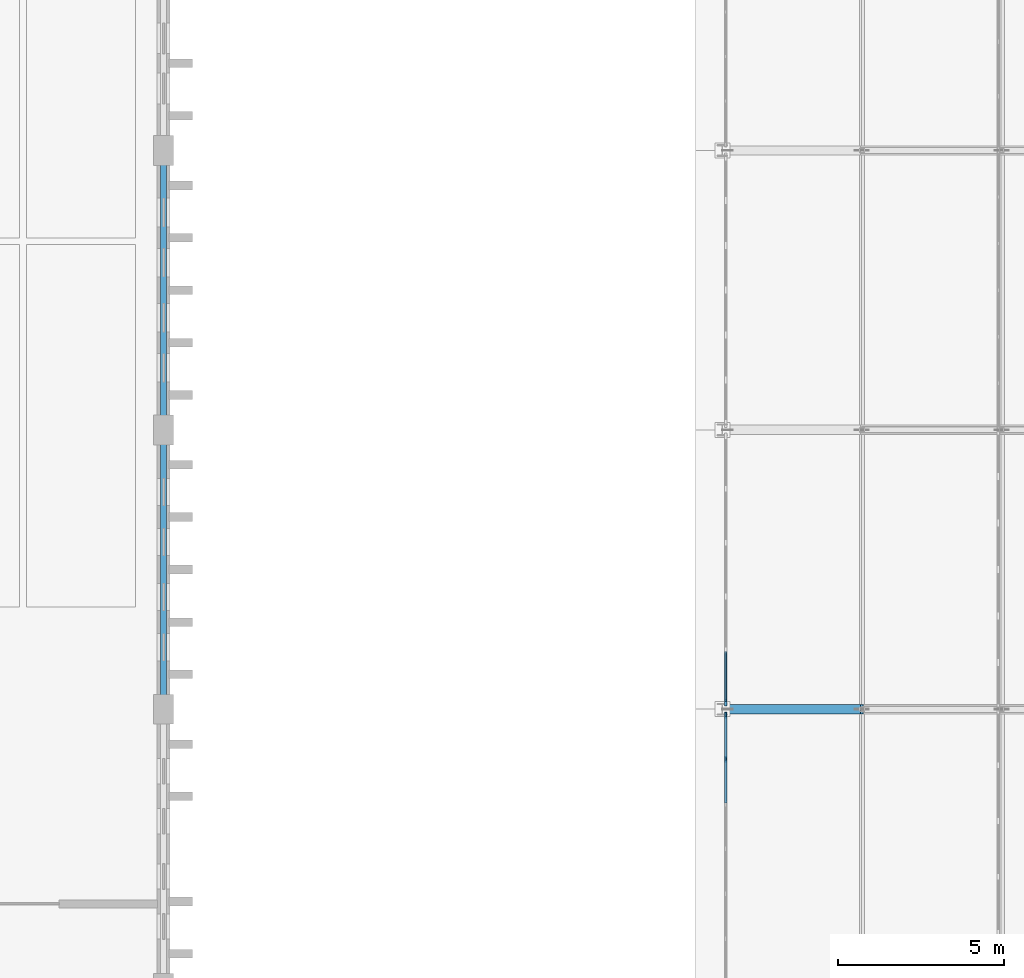
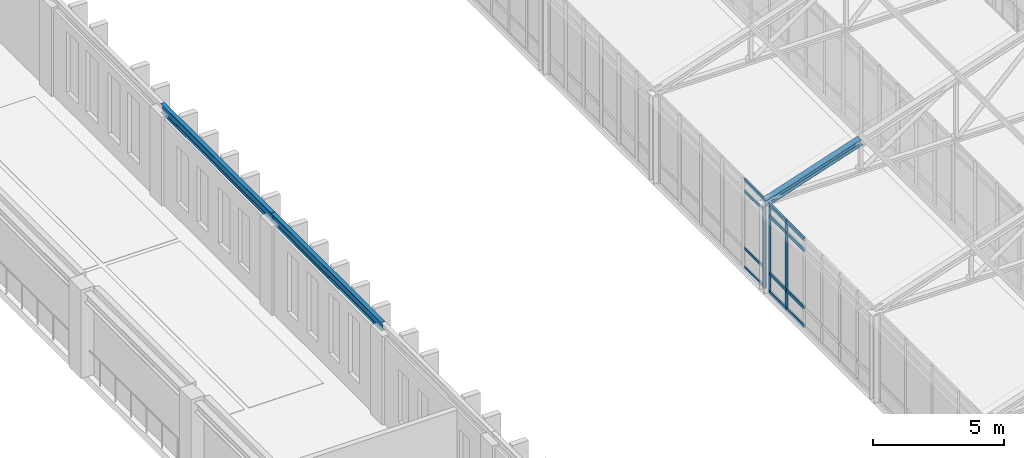
# One storey, part 49 of 192: 16 members, 2 beams, 2 elements without a shape of their own.
"""IFC4 building model written with IfcOpenShell, lengths in metres."""

from ifc_helpers import new_model, si_unit, direction, frame, origin, origin_2d, place, context, subcontext, project, spatial, rectangle, i_section, extrude, material, layer, layer_set, material_profile, profile_set, type_object, element, aggregate, save


model = new_model("IFC4")

# Units and contexts
model_context = context("Model", 3, precision=1e-05, world=origin(), true_north=direction((0.0, 1.0)))
body_context = subcontext(model_context, "Body", "Model", "MODEL_VIEW")
ifc_project = project(units=[si_unit("LENGTHUNIT", "METRE"), si_unit("AREAUNIT", "SQUARE_METRE"), si_unit("VOLUMEUNIT", "CUBIC_METRE"), si_unit("PLANEANGLEUNIT", "RADIAN"), si_unit("MASSUNIT", "GRAM", prefix="KILO")], contexts=[model_context])

# Site, building, storey
site_placement = place(None, origin())
site = spatial("IfcSite", under=ifc_project, at=site_placement, CompositionType="ELEMENT")
building_placement = place(site_placement, origin())
building = spatial("IfcBuilding", under=site, at=building_placement, Name="Kveldsbrygga Polytechnic", CompositionType="ELEMENT")
storey_placement = place(building_placement, frame((0.0, 0.0, 5.43994140625)))
storey = spatial("IfcBuildingStorey", under=building, at=storey_placement, Name="L01", CompositionType="ELEMENT", Elevation=5.43994140625)

# Beams
ifc_material_1 = material(Name="Steel S355", Category="steel")
ifc_material_profile_1 = material_profile(ifc_material_1, i_section(OverallWidth=0.179931640625, OverallDepth=0.39990234375, WebThickness=0.008544921875, FlangeThickness=0.013427734375, FilletRadius=0.02099609375, at=origin_2d()), Name="IPE 400")
ifc_profile_set_1 = profile_set([ifc_material_profile_1], Name="Steel S355")
beam_type = type_object("IfcBeamType", Name="BM-STL-IPE400", PredefinedType="BEAM", material=ifc_profile_set_1)
beam_1_placement = place(storey_placement, frame((33.60009765625, 50.39990234375, 4.219970703125), z_axis=(0.0, 1.0, 0.0), x_axis=(-1.0, 0.0, 0.0)))
element("IfcBeam", 1, at=beam_1_placement, inside=storey, type_object=beam_type, Name="Workshop Perimeter Girt Beam BMY-V1GRT-L01-E-06", PredefinedType="BEAM", context=body_context, shape_type="SweptSolid", body=[
    extrude(i_section(OverallWidth=0.179931640625, OverallDepth=0.39990234375, WebThickness=0.008544921875, FlangeThickness=0.013427734375, FilletRadius=0.02099609375, at=origin_2d()), origin(), (0.0, 0.0, 1.0), 8.400146484375),
])
beam_2_placement = place(storey_placement, frame((33.60009765625, 58.800048828125, 4.219970703125), z_axis=(0.0, 1.0, 0.0), x_axis=(-1.0, 0.0, 0.0)))
element("IfcBeam", 2, at=beam_2_placement, inside=storey, type_object=beam_type, Name="Workshop Perimeter Girt Beam BMY-V1GRT-L01-E-07", PredefinedType="BEAM", context=body_context, shape_type="SweptSolid", body=[
    extrude(i_section(OverallWidth=0.179931640625, OverallDepth=0.39990234375, WebThickness=0.008544921875, FlangeThickness=0.013427734375, FilletRadius=0.02099609375, at=origin_2d()), origin(), (0.0, 0.0, 1.0), 8.39990234375),
])

# Curtain wall, members
ifc_material_2 = material(Name="Anodised aluminium AW-6060", Category="aluminium")
ifc_layer_1 = layer(ifc_material_2, 0.169921875)
ifc_layer_set_1 = layer_set([ifc_layer_1], Name="Anodised aluminium AW-6060")
curtain_wall_type_1 = type_object("IfcCurtainWallType", Name="CW-FOYR-F", PredefinedType="USERDEFINED", material=ifc_layer_set_1)
curtain_wall_1_placement = place(storey_placement, origin())
curtain_wall_1 = element("IfcCurtainWall", 3, at=curtain_wall_1_placement, inside=storey, type_object=curtain_wall_type_1, Name="Curtain Wall CW-L01-Y-06-05", ObjectType="STICK CURTAIN WALL", PredefinedType="USERDEFINED")
ifc_material_profile_2 = material_profile(ifc_material_2, rectangle(XDim=0.06005859375, YDim=0.179931640625, at=origin_2d()), Name="ALU 60x180")
ifc_profile_set_2 = profile_set([ifc_material_profile_2], Name="Anodised aluminium AW-6060")
member_type_1 = type_object("IfcMemberType", Name="CW-MUL-180", PredefinedType="MULLION", material=ifc_profile_set_2)
member_1_placement = place(storey_placement, frame((50.5, 48.896728515625, 0.0), z_axis=(0.0, 0.0, 1.0), x_axis=(-1.0, 0.0, 0.0)))
member_1 = element("IfcMember", 4, at=member_1_placement, type_object=member_type_1, Name="CW-06 mullion 6", PredefinedType="MULLION", context=body_context, shape_type="SweptSolid", body=[
    extrude(rectangle(XDim=0.06005859375, YDim=0.179931640625, at=origin_2d()), origin(), (0.0, 0.0, 1.0), 4.1201171875),
])
member_2_placement = place(storey_placement, frame((50.5, 50.215087890625, 0.0), z_axis=(0.0, 0.0, 1.0), x_axis=(-1.0, 0.0, 0.0)))
member_2 = element("IfcMember", 5, at=member_2_placement, type_object=member_type_1, Name="CW-06 mullion 7", PredefinedType="MULLION", context=body_context, shape_type="SweptSolid", body=[
    extrude(rectangle(XDim=0.06005859375, YDim=0.179931640625, at=origin_2d()), origin(), (0.0, 0.0, 1.0), 4.1201171875),
])

ifc_layer_2 = layer(ifc_material_2, 0.18994140625)
ifc_layer_set_2 = layer_set([ifc_layer_2], Name="Anodised aluminium AW-6060")
curtain_wall_type_2 = type_object("IfcCurtainWallType", Name="CW-REFC-G", PredefinedType="USERDEFINED", material=ifc_layer_set_2)
curtain_wall_2_placement = place(storey_placement, origin())
curtain_wall_2 = element("IfcCurtainWall", 6, at=curtain_wall_2_placement, inside=storey, type_object=curtain_wall_type_2, Name="Curtain Wall CW-L01-Y-06-06", ObjectType="UNITISED CURTAIN WALL", PredefinedType="USERDEFINED")
ifc_material_profile_3 = material_profile(ifc_material_2, rectangle(XDim=0.074951171875, YDim=0.199951171875, at=origin_2d()), Name="ALU 75x200")
ifc_profile_set_3 = profile_set([ifc_material_profile_3], Name="Anodised aluminium AW-6060")
member_type_2 = type_object("IfcMemberType", Name="CW-MUL-200", PredefinedType="MULLION", material=ifc_profile_set_3)
member_3_placement = place(storey_placement, frame((50.5, 50.592529296875, 0.0), z_axis=(0.0, 0.0, 1.0), x_axis=(-1.0, 0.0, 0.0)))
member_3 = element("IfcMember", 7, at=member_3_placement, type_object=member_type_2, Name="CW-07 mullion 1", PredefinedType="MULLION", context=body_context, shape_type="SweptSolid", body=[
    extrude(rectangle(XDim=0.074951171875, YDim=0.199951171875, at=origin_2d()), origin(), (0.0, 0.0, 1.0), 4.1201171875),
])
ifc_material_profile_4 = material_profile(ifc_material_2, rectangle(XDim=0.06005859375, YDim=0.1201171875, at=origin_2d()), Name="ALU 60x120")
ifc_profile_set_4 = profile_set([ifc_material_profile_4], Name="Anodised aluminium AW-6060")
member_type_3 = type_object("IfcMemberType", Name="CW-TRN-120", PredefinedType="USERDEFINED", material=ifc_profile_set_4)
member_4_placement = place(storey_placement, frame((50.5, 50.6298828125, 0.030029296875), z_axis=(0.0, 1.0, 0.0), x_axis=(-1.0, 0.0, 0.0)))
member_4 = element("IfcMember", 8, at=member_4_placement, type_object=member_type_3, Name="CW-07 transom 1.1", ObjectType="TRANSOM", PredefinedType="USERDEFINED", context=body_context, shape_type="SweptSolid", body=[
    extrude(rectangle(XDim=0.06005859375, YDim=0.1201171875, at=origin_2d()), origin(), (0.0, 0.0, 1.0), 1.505615234375),
])
member_5_placement = place(storey_placement, frame((50.5, 50.6298828125, 0.900146484375), z_axis=(0.0, 1.0, 0.0), x_axis=(-1.0, 0.0, 0.0)))
member_5 = element("IfcMember", 9, at=member_5_placement, type_object=member_type_3, Name="CW-07 transom 1.2", ObjectType="TRANSOM", PredefinedType="USERDEFINED", context=body_context, shape_type="SweptSolid", body=[
    extrude(rectangle(XDim=0.06005859375, YDim=0.1201171875, at=origin_2d()), origin(), (0.0, 0.0, 1.0), 1.505615234375),
])
member_6_placement = place(storey_placement, frame((50.5, 50.6298828125, 3.570068359375), z_axis=(0.0, 1.0, 0.0), x_axis=(-1.0, 0.0, 0.0)))
member_6 = element("IfcMember", 10, at=member_6_placement, type_object=member_type_3, Name="CW-07 transom 1.3", ObjectType="TRANSOM", PredefinedType="USERDEFINED", context=body_context, shape_type="SweptSolid", body=[
    extrude(rectangle(XDim=0.06005859375, YDim=0.1201171875, at=origin_2d()), origin(), (0.0, 0.0, 1.0), 1.505615234375),
])
member_7_placement = place(storey_placement, frame((50.5, 50.6298828125, 4.090087890625), z_axis=(0.0, 1.0, 0.0), x_axis=(-1.0, 0.0, 0.0)))
member_7 = element("IfcMember", 11, at=member_7_placement, type_object=member_type_3, Name="CW-07 transom 1.4", ObjectType="TRANSOM", PredefinedType="USERDEFINED", context=body_context, shape_type="SweptSolid", body=[
    extrude(rectangle(XDim=0.06005859375, YDim=0.1201171875, at=origin_2d()), origin(), (0.0, 0.0, 1.0), 1.505615234375),
])
aggregate(curtain_wall_2, [member_3, member_4, member_5, member_6, member_7])

# Member
ifc_material_profile_5 = material_profile(ifc_material_2, rectangle(XDim=0.074951171875, YDim=0.159912109375, at=origin_2d()), Name="ALU 75x160")
ifc_profile_set_5 = profile_set([ifc_material_profile_5], Name="Anodised aluminium AW-6060")
member_type_4 = type_object("IfcMemberType", Name="CW-TRN-160", PredefinedType="USERDEFINED", material=ifc_profile_set_5)
member_8_placement = place(storey_placement, frame((50.5, 47.578369140625, 0.03759765625), z_axis=(0.0, 1.0, 0.0), x_axis=(-1.0, 0.0, 0.0)))
member_8 = element("IfcMember", 12, at=member_8_placement, type_object=member_type_4, Name="CW-06 transom 5.1", ObjectType="TRANSOM", PredefinedType="USERDEFINED", context=body_context, shape_type="SweptSolid", body=[
    extrude(rectangle(XDim=0.074951171875, YDim=0.159912109375, at=origin_2d()), origin(), (0.0, 0.0, 1.0), 1.288330078125),
])

member_9_placement = place(storey_placement, frame((50.5, 47.578369140625, 0.900146484375), z_axis=(0.0, 1.0, 0.0), x_axis=(-1.0, 0.0, 0.0)))
member_9 = element("IfcMember", 13, at=member_9_placement, type_object=member_type_4, Name="CW-06 transom 5.2", ObjectType="TRANSOM", PredefinedType="USERDEFINED", context=body_context, shape_type="SweptSolid", body=[
    extrude(rectangle(XDim=0.074951171875, YDim=0.159912109375, at=origin_2d()), origin(), (0.0, 0.0, 1.0), 1.288330078125),
])

member_10_placement = place(storey_placement, frame((50.5, 47.578369140625, 3.570068359375), z_axis=(0.0, 1.0, 0.0), x_axis=(-1.0, 0.0, 0.0)))
member_10 = element("IfcMember", 14, at=member_10_placement, type_object=member_type_4, Name="CW-06 transom 5.3", ObjectType="TRANSOM", PredefinedType="USERDEFINED", context=body_context, shape_type="SweptSolid", body=[
    extrude(rectangle(XDim=0.074951171875, YDim=0.159912109375, at=origin_2d()), origin(), (0.0, 0.0, 1.0), 1.288330078125),
])

member_11_placement = place(storey_placement, frame((50.5, 47.578369140625, 4.08251953125), z_axis=(0.0, 1.0, 0.0), x_axis=(-1.0, 0.0, 0.0)))
member_11 = element("IfcMember", 15, at=member_11_placement, type_object=member_type_4, Name="CW-06 transom 5.4", ObjectType="TRANSOM", PredefinedType="USERDEFINED", context=body_context, shape_type="SweptSolid", body=[
    extrude(rectangle(XDim=0.074951171875, YDim=0.159912109375, at=origin_2d()), origin(), (0.0, 0.0, 1.0), 1.288330078125),
])

member_12_placement = place(storey_placement, frame((50.5, 48.9267578125, 0.03759765625), z_axis=(0.0, 1.0, 0.0), x_axis=(-1.0, 0.0, 0.0)))
member_12 = element("IfcMember", 16, at=member_12_placement, type_object=member_type_4, Name="CW-06 transom 6.1", ObjectType="TRANSOM", PredefinedType="USERDEFINED", context=body_context, shape_type="SweptSolid", body=[
    extrude(rectangle(XDim=0.074951171875, YDim=0.159912109375, at=origin_2d()), origin(), (0.0, 0.0, 1.0), 1.25830078125),
])

member_13_placement = place(storey_placement, frame((50.5, 48.9267578125, 0.900146484375), z_axis=(0.0, 1.0, 0.0), x_axis=(-1.0, 0.0, 0.0)))
member_13 = element("IfcMember", 17, at=member_13_placement, type_object=member_type_4, Name="CW-06 transom 6.2", ObjectType="TRANSOM", PredefinedType="USERDEFINED", context=body_context, shape_type="SweptSolid", body=[
    extrude(rectangle(XDim=0.074951171875, YDim=0.159912109375, at=origin_2d()), origin(), (0.0, 0.0, 1.0), 1.25830078125),
])

member_14_placement = place(storey_placement, frame((50.5, 48.9267578125, 3.570068359375), z_axis=(0.0, 1.0, 0.0), x_axis=(-1.0, 0.0, 0.0)))
member_14 = element("IfcMember", 18, at=member_14_placement, type_object=member_type_4, Name="CW-06 transom 6.3", ObjectType="TRANSOM", PredefinedType="USERDEFINED", context=body_context, shape_type="SweptSolid", body=[
    extrude(rectangle(XDim=0.074951171875, YDim=0.159912109375, at=origin_2d()), origin(), (0.0, 0.0, 1.0), 1.25830078125),
])

member_15_placement = place(storey_placement, frame((50.5, 48.9267578125, 4.08251953125), z_axis=(0.0, 1.0, 0.0), x_axis=(-1.0, 0.0, 0.0)))
member_15 = element("IfcMember", 19, at=member_15_placement, type_object=member_type_4, Name="CW-06 transom 6.4", ObjectType="TRANSOM", PredefinedType="USERDEFINED", context=body_context, shape_type="SweptSolid", body=[
    extrude(rectangle(XDim=0.074951171875, YDim=0.159912109375, at=origin_2d()), origin(), (0.0, 0.0, 1.0), 1.25830078125),
])

aggregate(curtain_wall_1, [member_1, member_2, member_8, member_9, member_10, member_11, member_12, member_13, member_14, member_15])

ifc_material_profile_6 = material_profile(ifc_material_1, i_section(OverallWidth=0.280029296875, OverallDepth=0.280029296875, WebThickness=0.010498046875, FlangeThickness=0.01806640625, FilletRadius=0.02392578125, at=origin_2d()), Name="HEB 280")
ifc_profile_set_6 = profile_set([ifc_material_profile_6], Name="Steel S355")
member_type_5 = type_object("IfcMemberType", Name="TR-TOP-HEB280", PredefinedType="CHORD", material=ifc_profile_set_6)
member_16_placement = place(storey_placement, frame((50.39990234375, 50.39990234375, 4.1201171875), z_axis=(0.948694326238, 0.0, 0.316194679531), x_axis=(0.0, 1.0, 0.0)))
element("IfcMember", 20, at=member_16_placement, inside=storey, type_object=member_type_5, Name="Truss Top Chord V5C-T06-TC-1", PredefinedType="CHORD", context=body_context, shape_type="SweptSolid", body=[
    extrude(i_section(OverallWidth=0.280029296875, OverallDepth=0.280029296875, WebThickness=0.010498046875, FlangeThickness=0.01806640625, FilletRadius=0.02392578125, at=origin_2d()), origin(), (0.0, 0.0, 1.0), 4.42724609375),
])

save(model, "model.ifc")
